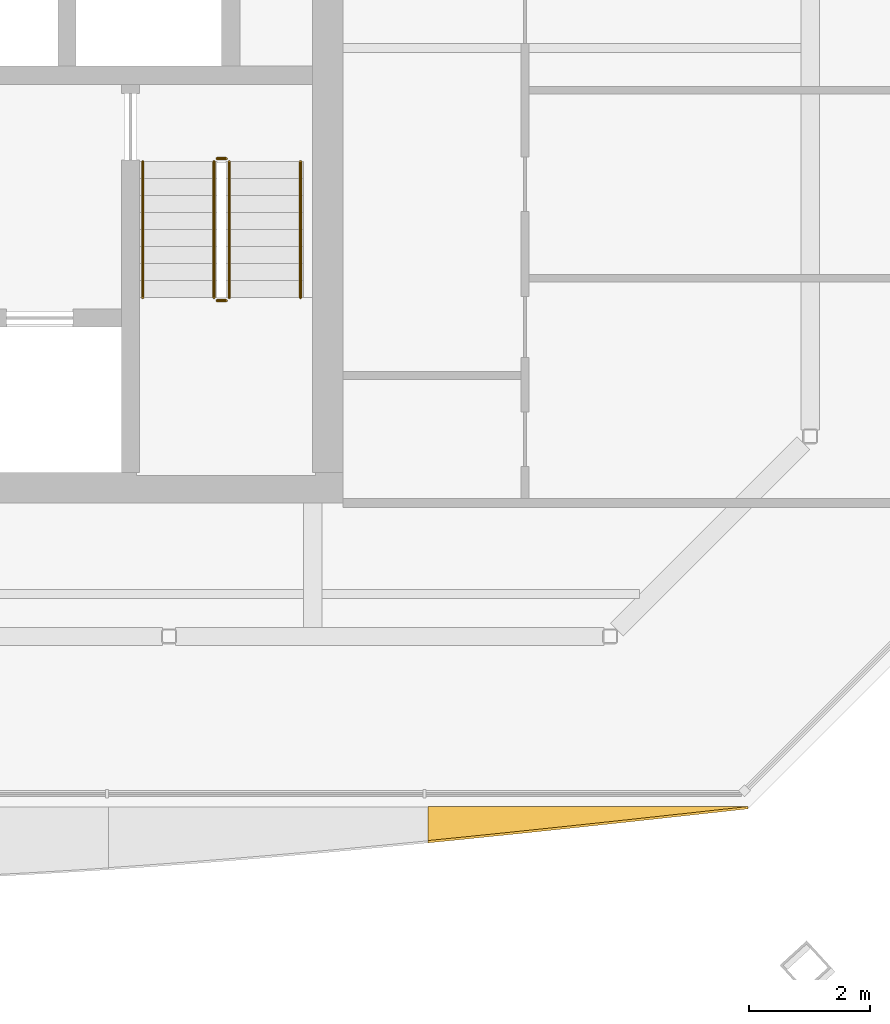
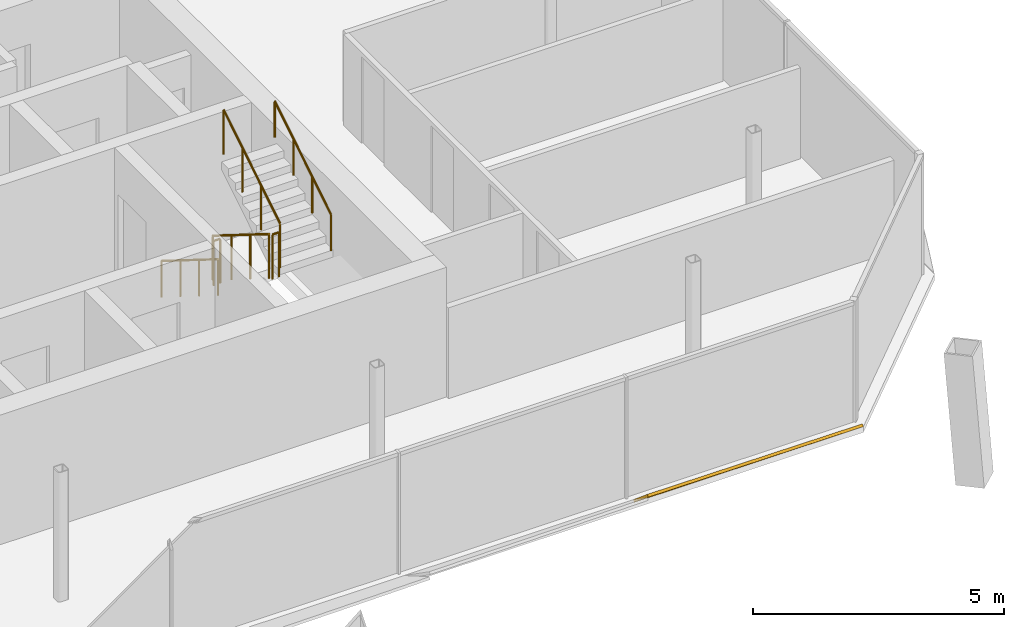
# One storey, part 14 of 16: 6 railings, 1 shading device.
"""IFC4 building model written with IfcOpenShell, lengths in metres."""

from ifc_helpers import new_model, si_unit, direction, frame, origin, origin_2d, place, context, subcontext, project, spatial, polyline, circle, outline, extrude, material, layer, layer_set, type_object, element, save


model = new_model("IFC4")

# Units and contexts
model_context = context("Model", 3, precision=1e-05, world=origin(), true_north=direction((0.0, 1.0)))
body_context = subcontext(model_context, "Body", "Model", "MODEL_VIEW")
ifc_project = project(units=[si_unit("LENGTHUNIT", "METRE"), si_unit("AREAUNIT", "SQUARE_METRE"), si_unit("VOLUMEUNIT", "CUBIC_METRE"), si_unit("PLANEANGLEUNIT", "RADIAN"), si_unit("MASSUNIT", "GRAM", prefix="KILO")], contexts=[model_context])

# Site, building, storey
site_placement = place(None, origin())
site = spatial("IfcSite", under=ifc_project, at=site_placement, CompositionType="ELEMENT")
building_placement = place(site_placement, origin())
building = spatial("IfcBuilding", under=site, at=building_placement, Name="Tskaro Facet Tower", CompositionType="ELEMENT")
storey_placement = place(building_placement, frame((0.0, 0.0, 262.64990234375)))
storey = spatial("IfcBuildingStorey", under=building, at=storey_placement, Name="L69", CompositionType="ELEMENT", Elevation=262.64990234375)

# Shading device
ifc_material_1 = material(Name="Bronze anodised aluminium 6063-T6", Category="aluminium")
ifc_layer = layer(ifc_material_1, 0.06005859375, Name="Bronze anodised aluminium 6063-T6")
ifc_layer_set = layer_set([ifc_layer], Name="Bronze anodised aluminium 6063-T6")
shading_device_type = type_object("IfcShadingDeviceType", Name="Bronze sun blade (FN1)", PredefinedType="USERDEFINED", material=ifc_layer_set)
shading_device_placement = place(storey_placement, frame((10.904296875, -17.00439453125, 0.046142578125), z_axis=(4.2774875e-05, 0.642569539734, 0.766227371461), x_axis=(0.999999999085, -2.7485832e-05, -3.277528e-05)))
element("IfcShadingDevice", 1, at=shading_device_placement, inside=storey, type_object=shading_device_type, Name="Fin blade south 5", ObjectType="FIN", PredefinedType="USERDEFINED", context=body_context, shape_type="SweptSolid", body=[
    extrude(outline(polyline([(0.0, 0.0), (5.269775385803973, 0.0), (4.611083980705231, -0.09462142213679428), (3.952392576897857, -0.18889889971487667), (3.2937011676714443, -0.2826453655047153), (2.6350097623191395, -0.3753599976184182), (1.9763183608409423, -0.4670427960559853), (1.317382810482629, -0.5569756817996412), (0.6586914072059383, -0.6451888447497375), (-9.74513072029152e-09, -0.7311210832176788), (0.0, 0.0)])), origin(), (0.0, 0.0, -1.0), 0.06005859375),
])

# Railings
ifc_material_2 = material(Name="Stainless steel", Category="steel")
railing_type_1 = type_object("IfcRailingType", Name="RL-GUARD-1100", PredefinedType="GUARDRAIL", material=ifc_material_2)
railing_1_placement = place(storey_placement, frame((7.375, -6.375, 0.175048828125)))
element("IfcRailing", 2, at=railing_1_placement, inside=storey, type_object=railing_type_1, Name="L69 ST-2 stair guard 1", PredefinedType="GUARDRAIL", context=body_context, shape_type="SweptSolid", body=[
    extrude(circle(Radius=0.02392578125, at=origin_2d()), frame((0.0, 0.0, 1.076171875), z_axis=(0.0, -0.847972341737, 0.530040477369), x_axis=(1.0, 0.0, 0.0)), (0.0, 0.0, 1.0), 2.6416015625),
    extrude(circle(Radius=0.02099609375, at=origin_2d()), origin(), (0.0, 0.0, 1.0), 1.052001953125),
    extrude(circle(Radius=0.02099609375, at=origin_2d()), frame((0.0, -0.74658203125, 0.466796875)), (0.0, 0.0, 1.0), 1.052001953125),
    extrude(circle(Radius=0.02099609375, at=origin_2d()), frame((0.0, -1.493408203125, 0.933349609375)), (0.0, 0.0, 1.0), 1.052001953125),
    extrude(circle(Radius=0.02099609375, at=origin_2d()), frame((0.0, -2.239990234375, 1.400146484375)), (0.0, 0.0, 1.0), 1.052001953125),
])
railing_2_placement = place(storey_placement, frame((7.425048828125, -8.6650390625, 1.5751953125)))
element("IfcRailing", 3, at=railing_2_placement, inside=storey, type_object=railing_type_1, Name="L69 ST-2 stair guard 2", PredefinedType="GUARDRAIL", context=body_context, shape_type="SweptSolid", body=[
    extrude(circle(Radius=0.02392578125, at=origin_2d()), frame((0.0, 0.0, 1.076171875), z_axis=(1.0, 0.0, 0.0), x_axis=(0.0, 1.0, 0.0)), (0.0, 0.0, 1.0), 0.14990234375),
    extrude(circle(Radius=0.02099609375, at=origin_2d()), origin(), (0.0, 0.0, 1.0), 1.052001953125),
    extrude(circle(Radius=0.02099609375, at=origin_2d()), frame((0.14990234375, 0.0, 0.0)), (0.0, 0.0, 1.0), 1.052001953125),
])
railing_3_placement = place(storey_placement, frame((7.625, -8.614990234375, 1.75)))
element("IfcRailing", 4, at=railing_3_placement, inside=storey, type_object=railing_type_1, Name="L69 ST-2 stair guard 3", PredefinedType="GUARDRAIL", context=body_context, shape_type="SweptSolid", body=[
    extrude(circle(Radius=0.02392578125, at=origin_2d()), frame((0.0, 0.0, 1.076171875), z_axis=(0.0, 0.847972341737, 0.530040477369), x_axis=(-1.0, 0.0, 0.0)), (0.0, 0.0, 1.0), 2.6416015625),
    extrude(circle(Radius=0.02099609375, at=origin_2d()), origin(), (0.0, 0.0, 1.0), 1.052001953125),
    extrude(circle(Radius=0.02099609375, at=origin_2d()), frame((0.0, 0.74658203125, 0.466796875)), (0.0, 0.0, 1.0), 1.052001953125),
    extrude(circle(Radius=0.02099609375, at=origin_2d()), frame((0.0, 1.493408203125, 0.933349609375)), (0.0, 0.0, 1.0), 1.052001953125),
    extrude(circle(Radius=0.02099609375, at=origin_2d()), frame((0.0, 2.239990234375, 1.400146484375)), (0.0, 0.0, 1.0), 1.052001953125),
])
railing_4_placement = place(storey_placement, frame((7.425048828125, -6.324951171875, 0.0)))
element("IfcRailing", 5, at=railing_4_placement, inside=storey, type_object=railing_type_1, Name="L69 ST-2 stair guard 4", PredefinedType="GUARDRAIL", context=body_context, shape_type="SweptSolid", body=[
    extrude(circle(Radius=0.02392578125, at=origin_2d()), frame((0.0, 0.0, 1.076171875), z_axis=(1.0, 0.0, 0.0), x_axis=(0.0, 1.0, 0.0)), (0.0, 0.0, 1.0), 0.14990234375),
    extrude(circle(Radius=0.02099609375, at=origin_2d()), origin(), (0.0, 0.0, 1.0), 1.052001953125),
    extrude(circle(Radius=0.02099609375, at=origin_2d()), frame((0.14990234375, 0.0, 0.0)), (0.0, 0.0, 1.0), 1.052001953125),
])
railing_type_2 = type_object("IfcRailingType", Name="RL-HANDRAIL-900", PredefinedType="HANDRAIL", material=ifc_material_2)
railing_5_placement = place(storey_placement, frame((6.199951171875, -6.375, 0.175048828125)))
element("IfcRailing", 6, at=railing_5_placement, inside=storey, type_object=railing_type_2, Name="L69 ST-2 stair handrail 1", PredefinedType="HANDRAIL", context=body_context, shape_type="SweptSolid", body=[
    extrude(circle(Radius=0.02392578125, at=origin_2d()), frame((0.0, 0.0, 0.8759765625), z_axis=(0.0, -0.847972341737, 0.530040477369), x_axis=(1.0, 0.0, 0.0)), (0.0, 0.0, 1.0), 2.6416015625),
    extrude(circle(Radius=0.02099609375, at=origin_2d()), origin(), (0.0, 0.0, 1.0), 0.851806640625),
    extrude(circle(Radius=0.02099609375, at=origin_2d()), frame((0.0, -0.74658203125, 0.466796875)), (0.0, 0.0, 1.0), 0.851806640625),
    extrude(circle(Radius=0.02099609375, at=origin_2d()), frame((0.0, -1.493408203125, 0.933349609375)), (0.0, 0.0, 1.0), 0.851806640625),
    extrude(circle(Radius=0.02099609375, at=origin_2d()), frame((0.0, -2.239990234375, 1.400146484375)), (0.0, 0.0, 1.0), 0.851806640625),
])
railing_6_placement = place(storey_placement, frame((8.800048828125, -8.614990234375, 1.75)))
element("IfcRailing", 7, at=railing_6_placement, inside=storey, type_object=railing_type_2, Name="L69 ST-2 stair handrail 2", PredefinedType="HANDRAIL", context=body_context, shape_type="SweptSolid", body=[
    extrude(circle(Radius=0.02392578125, at=origin_2d()), frame((0.0, 0.0, 0.8759765625), z_axis=(0.0, 0.847972341737, 0.530040477369), x_axis=(-1.0, 0.0, 0.0)), (0.0, 0.0, 1.0), 2.6416015625),
    extrude(circle(Radius=0.02099609375, at=origin_2d()), origin(), (0.0, 0.0, 1.0), 0.851806640625),
    extrude(circle(Radius=0.02099609375, at=origin_2d()), frame((0.0, 0.74658203125, 0.466796875)), (0.0, 0.0, 1.0), 0.851806640625),
    extrude(circle(Radius=0.02099609375, at=origin_2d()), frame((0.0, 1.493408203125, 0.933349609375)), (0.0, 0.0, 1.0), 0.851806640625),
    extrude(circle(Radius=0.02099609375, at=origin_2d()), frame((0.0, 2.239990234375, 1.400146484375)), (0.0, 0.0, 1.0), 0.851806640625),
])

save(model, "model.ifc")
